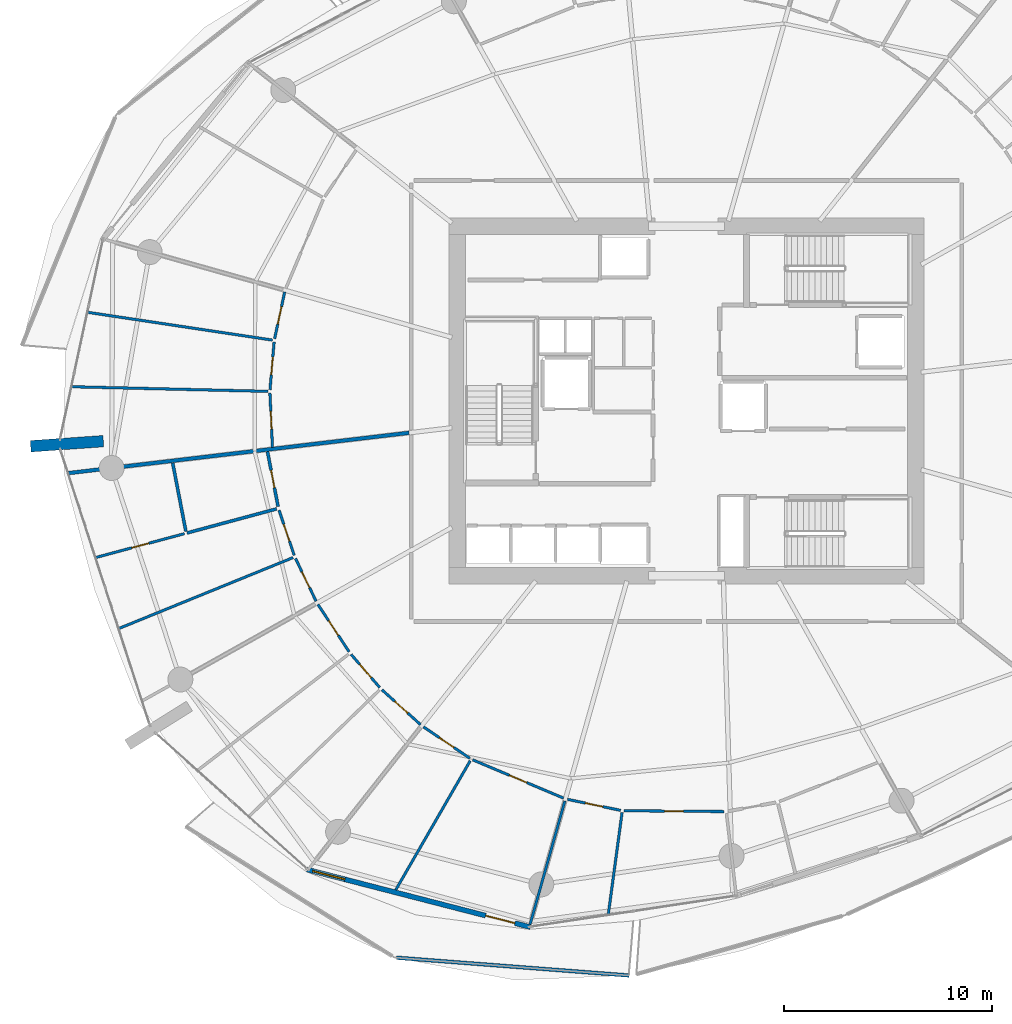
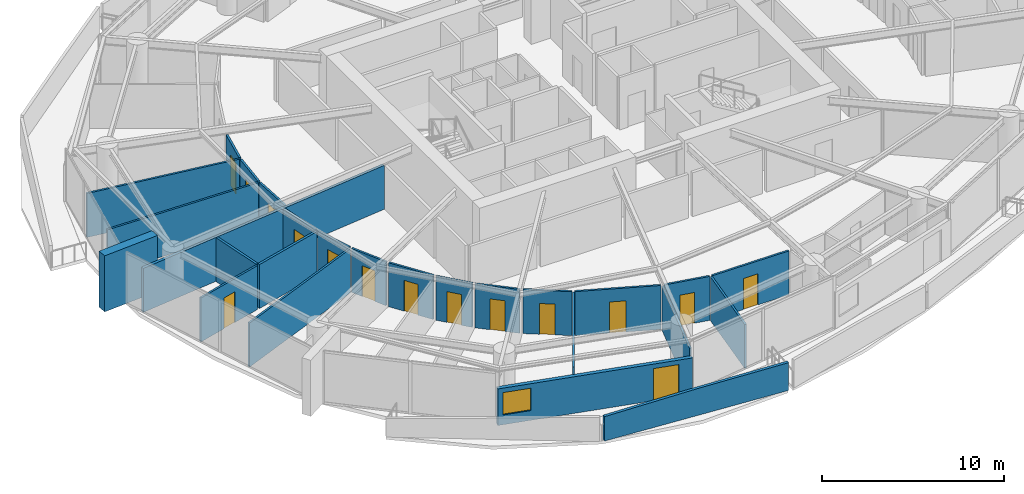
# One storey, part 11 of 23: 26 walls, 15 doors, 1 window, 16 openings.
"""IFC4 building model written with IfcOpenShell, lengths in metres."""

from ifc_helpers import new_model, si_unit, direction, frame, frame_2d, origin, place, context, subcontext, project, spatial, polyline, rectangle, outline, extrude, material, layer, layer_set, type_object, element, fill, save


model = new_model("IFC4")

# Units and contexts
model_context = context("Model", 3, precision=1e-05, world=origin(), true_north=direction((0.0, 1.0)))
body_context = subcontext(model_context, "Body", "Model", "MODEL_VIEW")
ifc_project = project(units=[si_unit("LENGTHUNIT", "METRE"), si_unit("AREAUNIT", "SQUARE_METRE"), si_unit("VOLUMEUNIT", "CUBIC_METRE"), si_unit("PLANEANGLEUNIT", "RADIAN"), si_unit("MASSUNIT", "GRAM", prefix="KILO")], contexts=[model_context])

# Site, building, storey
site_placement = place(None, origin())
site = spatial("IfcSite", under=ifc_project, at=site_placement, CompositionType="ELEMENT")
building_placement = place(site_placement, origin())
building = spatial("IfcBuilding", under=site, at=building_placement, Name="Kazma Halo Residences", CompositionType="ELEMENT")
storey_placement = place(building_placement, frame((0.0, 0.0, 108.89990234375)))
storey = spatial("IfcBuildingStorey", under=building, at=storey_placement, Name="L27", CompositionType="ELEMENT", Elevation=108.89990234375)

# Walls
ifc_material_1 = material(Name="White Concrete C50/60 Balustrade", Category="concrete")
ifc_layer_1 = layer(ifc_material_1, 0.179931640625)
ifc_layer_set_1 = layer_set([ifc_layer_1], Name="White Concrete C50/60 Balustrade")
wall_type_1 = type_object("IfcWallType", Name="WL-BAL-WAVE-180", PredefinedType="PARAPET", material=ifc_layer_set_1)
wall_1_placement = place(storey_placement, frame((34.489990234375, 15.2412109375, 0.0), z_axis=(0.0, 0.0, 1.0), x_axis=(0.997088496001, -0.076253073, 0.0)))
element("IfcWall", 1, at=wall_1_placement, inside=storey, type_object=wall_type_1, Name="L27 white wave balustrade wall SW.2", PredefinedType="PARAPET", context=body_context, shape_type="SweptSolid", body=[
    extrude(outline(polyline([(0.0, 0.0), (11.19970703125, 0.0), (11.199462890625, 1.860107421875), (5.599853515625, 1.798095703125), (0.0, 1.632080078125), (0.0, 0.0)])), frame((0.0, 0.08984375, 0.0), z_axis=(0.0, -1.0, 0.0), x_axis=(1.0, 0.0, 0.0)), (0.0, 0.0, 1.0), 0.179931640625),
])
ifc_material_2 = material(Name="Pale Concrete C60/75", Category="concrete")
ifc_layer_2 = layer(ifc_material_2, 0.550048828125)
ifc_layer_set_2 = layer_set([ifc_layer_2], Name="Pale Concrete C60/75")
wall_type_2 = type_object("IfcWallType", Name="WL-BLADE-550", PredefinedType="SOLIDWALL", material=ifc_layer_set_2)
wall_2_placement = place(storey_placement, frame((20.393798828125, 40.069580078125, 0.0), z_axis=(0.0, 0.0, 1.0), x_axis=(-0.997564163539, -0.069754853754, 0.0)))
element("IfcWall", 2, at=wall_2_placement, inside=storey, type_object=wall_type_2, Name="L27 pale concrete structural blade fin wall BW-02", PredefinedType="SOLIDWALL", context=body_context, shape_type="SweptSolid", body=[
    extrude(rectangle(XDim=3.5, YDim=0.550048828125, at=frame_2d((1.75, 0.0))), origin(), (0.0, 0.0, 1.0), 3.75),
])
ifc_material_3 = material(Name="Acoustic Twin-Stud Gypsum")
ifc_layer_3 = layer(ifc_material_3, 0.179931640625)
ifc_layer_set_3 = layer_set([ifc_layer_3], Name="Acoustic Twin-Stud Gypsum")
wall_type_3 = type_object("IfcWallType", Name="WL-DEM-180", PredefinedType="PARTITIONING", material=ifc_layer_set_3)
wall_3_placement = place(storey_placement, frame((35.0908203125, 40.47216796875, 0.0), z_axis=(0.0, 0.0, 1.0), x_axis=(-0.99306845132, -0.117537445069, 0.0)))
element("IfcWall", 3, at=wall_3_placement, inside=storey, type_object=wall_type_3, Name="L27 apartment demising radial wall 07", PredefinedType="PARTITIONING", context=body_context, shape_type="SweptSolid", body=[
    extrude(rectangle(XDim=16.47998046875, YDim=0.179931640625, at=frame_2d((8.239990234375, 0.0))), origin(), (0.0, 0.0, 1.0), 2.940185546875),
])

# Wall, openings, door, window
ifc_material_4 = material(Name="Insulated Pale-Metal Composite Wall")
ifc_layer_4 = layer(ifc_material_4, 0.239990234375)
ifc_layer_set_4 = layer_set([ifc_layer_4], Name="Insulated Pale-Metal Composite Wall")
wall_type_4 = type_object("IfcWallType", Name="WL-EXT-HOST-240", PredefinedType="SOLIDWALL", material=ifc_layer_set_4)
wall_4_placement = place(storey_placement, frame((30.18603515625, 19.47705078125, 0.0), z_axis=(0.0, 0.0, 1.0), x_axis=(0.968356180858, -0.249572248045, 0.0)))
wall_4 = element("IfcWall", 4, at=wall_4_placement, inside=storey, type_object=wall_type_4, Name="L27 exterior terrace-access wall B10", PredefinedType="SOLIDWALL", context=body_context, shape_type="SweptSolid", body=[
    extrude(rectangle(XDim=11.08447265625, YDim=0.239990234375, at=frame_2d((5.542236328125, 0.0))), origin(), (0.0, 0.0, 1.0), 2.4501953125),
])
opening_1_placement = place(wall_4_placement, frame((8.864501953125, 0.0, 0.0)))
opening_1 = element("IfcOpeningElement", 5, at=opening_1_placement, cuts=wall_4, Name="Opening DTR-1600", PredefinedType="OPENING", context=body_context, shape_type="SweptSolid", body=[
    extrude(rectangle(XDim=1.449951171875, YDim=2.14990234375, at=frame_2d((0.72509765625, 1.074951171875))), frame((0.0, 0.1298828125, 0.0), z_axis=(0.0, -1.0, 0.0), x_axis=(1.0, 0.0, 0.0)), (0.0, 0.0, 1.0), 0.260009765625),
])
opening_2_placement = place(wall_4_placement, frame((0.280029296875, 0.0, 0.64990234375)))
opening_2 = element("IfcOpeningElement", 6, at=opening_2_placement, cuts=wall_4, Name="Opening W-1800", PredefinedType="OPENING", context=body_context, shape_type="SweptSolid", body=[
    extrude(rectangle(XDim=1.60009765625, YDim=1.5, at=frame_2d((0.800048828125, 0.75))), frame((0.0, 0.1298828125, 0.0), z_axis=(0.0, -1.0, 0.0), x_axis=(1.0, 0.0, 0.0)), (0.0, 0.0, 1.0), 0.260009765625),
])
ifc_material_5 = material(Name="Aluminium AW-6063 T6 Double-Glazed Terrace Door", Category="aluminium")
door_type_1 = type_object("IfcDoorType", Name="DR-EXT-TERR-1600", OperationType="NOTDEFINED", PredefinedType="DOOR", material=ifc_material_5)
door_1_placement = place(opening_1_placement, origin())
door_1 = element("IfcDoor", 7, at=door_1_placement, inside=storey, type_object=door_type_1, Name="L27 B10 balcony terrace door", OperationType="DOUBLE_DOOR_SLIDING", OverallHeight=2.14990234375, OverallWidth=1.449951171875, PredefinedType="DOOR", context=body_context, shape_type="SweptSolid", body=[
    extrude(rectangle(XDim=1.449951171875, YDim=2.14990234375, at=frame_2d((0.72509765625, 1.074951171875))), frame((0.0, 0.02490234375, 0.0), z_axis=(0.0, -1.0, 0.0), x_axis=(1.0, 0.0, 0.0)), (0.0, 0.0, 1.0), 0.050048828125),
])
fill(opening_1, door_1)
ifc_material_6 = material(Name="Clear Triple-Silver Low-E Glass in Aluminium AW-6063 T6 Frame", Category="aluminium")
window_type = type_object("IfcWindowType", Name="WIN-RES-1800", PartitioningType="DOUBLE_PANEL_VERTICAL", PredefinedType="WINDOW", material=ifc_material_6)
window_placement = place(opening_2_placement, origin())
window = element("IfcWindow", 8, at=window_placement, inside=storey, type_object=window_type, Name="L27 B10 apartment window", OverallHeight=1.5, OverallWidth=1.60009765625, PartitioningType="SINGLE_PANEL", PredefinedType="WINDOW", context=body_context, shape_type="SweptSolid", body=[
    extrude(rectangle(XDim=1.60009765625, YDim=1.5, at=frame_2d((0.800048828125, 0.75))), frame((0.0, 0.030029296875, 0.0), z_axis=(0.0, -1.0, 0.0), x_axis=(1.0, 0.0, 0.0)), (0.0, 0.0, 1.0), 0.06005859375),
])
fill(opening_2, window)

# Walls
ifc_material_7 = material(Name="Gypsum Plasterboard Partition")
ifc_layer_5 = layer(ifc_material_7, 0.125)
ifc_layer_set_5 = layer_set([ifc_layer_5], Name="Gypsum Plasterboard Partition")
wall_type_5 = type_object("IfcWallType", Name="WL-PART-125", PredefinedType="PARTITIONING", material=ifc_layer_set_5)
wall_5_placement = place(storey_placement, frame((28.52001953125, 44.9287109375, 0.0), z_axis=(0.0, 0.0, 1.0), x_axis=(-0.988886383278, 0.148673201912, 0.0)))
element("IfcWall", 9, at=wall_5_placement, inside=storey, type_object=wall_type_5, Name="L27 Apartment 1 bay wall 1 6", PredefinedType="PARTITIONING", context=body_context, shape_type="SweptSolid", body=[
    extrude(rectangle(XDim=8.96923828125, YDim=0.125, at=frame_2d((4.484619140625, 0.0))), origin(), (0.0, 0.0, 1.0), 2.940185546875),
])
wall_6_placement = place(storey_placement, frame((28.306396484375, 42.464111328125, 0.0), z_axis=(0.0, 0.0, 1.0), x_axis=(-0.999722179252, 0.023570411771, 0.0)))
element("IfcWall", 10, at=wall_6_placement, inside=storey, type_object=wall_type_5, Name="L27 Apartment 1 bay wall 2 6", PredefinedType="PARTITIONING", context=body_context, shape_type="SweptSolid", body=[
    extrude(rectangle(XDim=9.42578125, YDim=0.125, at=frame_2d((4.712890625, 0.0))), origin(), (0.0, 0.0, 1.0), 2.940185546875),
])

# Wall, opening, door
wall_7_placement = place(storey_placement, frame((29.1103515625, 47.244384765625, 0.0), z_axis=(0.0, 0.0, 1.0), x_axis=(-0.210470334655, -0.977600244594, 0.0)))
wall_7 = element("IfcWall", 11, at=wall_7_placement, inside=storey, type_object=wall_type_5, Name="L27 Apartment 1 Corner Bedroom hall wall", PredefinedType="PARTITIONING", context=body_context, shape_type="SweptSolid", body=[
    extrude(rectangle(XDim=2.302490234375, YDim=0.125, at=frame_2d((1.1513671875, 0.0))), origin(), (0.0, 0.0, 1.0), 2.940185546875),
])
opening_3_placement = place(wall_7_placement, frame((0.726318359375, 0.0, 0.0)))
opening_3 = element("IfcOpeningElement", 12, at=opening_3_placement, cuts=wall_7, Name="Opening DB-900", PredefinedType="OPENING", context=body_context, shape_type="SweptSolid", body=[
    extrude(rectangle(XDim=0.85009765625, YDim=2.06005859375, at=frame_2d((0.425048828125, 1.030029296875))), frame((0.0, 0.072509765625, 0.0), z_axis=(0.0, -1.0, 0.0), x_axis=(1.0, 0.0, 0.0)), (0.0, 0.0, 1.0), 0.14501953125),
])
ifc_material_8 = material(Name="Moisture-Sealed Timber Leaf", Category="wood")
door_type_2 = type_object("IfcDoorType", Name="DR-BTH-900", OperationType="NOTDEFINED", PredefinedType="DOOR", material=ifc_material_8)
door_2_placement = place(opening_3_placement, origin())
door_2 = element("IfcDoor", 13, at=door_2_placement, inside=storey, type_object=door_type_2, Name="L27 Apartment 1 Corner Bedroom door", OperationType="SINGLE_SWING_LEFT", OverallHeight=2.06005859375, OverallWidth=0.85009765625, PredefinedType="DOOR", context=body_context, shape_type="SweptSolid", body=[
    extrude(rectangle(XDim=0.85009765625, YDim=2.06005859375, at=frame_2d((0.425048828125, 1.030029296875))), frame((0.0, 0.02490234375, 0.0), z_axis=(0.0, -1.0, 0.0), x_axis=(1.0, 0.0, 0.0)), (0.0, 0.0, 1.0), 0.050048828125),
])
fill(opening_3, door_2)

wall_8_placement = place(storey_placement, frame((28.60205078125, 44.835693359375, 0.0), z_axis=(0.0, 0.0, 1.0), x_axis=(-0.086309330274, -0.996268387287, 0.0)))
wall_8 = element("IfcWall", 14, at=wall_8_placement, inside=storey, type_object=wall_type_5, Name="L27 Apartment 1 Garden Study hall wall", PredefinedType="PARTITIONING", context=body_context, shape_type="SweptSolid", body=[
    extrude(rectangle(XDim=2.302490234375, YDim=0.125, at=frame_2d((1.1513671875, 0.0))), origin(), (0.0, 0.0, 1.0), 2.940185546875),
])
opening_4_placement = place(wall_8_placement, frame((0.726318359375, 0.0, 0.0)))
opening_4 = element("IfcOpeningElement", 15, at=opening_4_placement, cuts=wall_8, Name="Opening DB-900", PredefinedType="OPENING", context=body_context, shape_type="SweptSolid", body=[
    extrude(rectangle(XDim=0.85009765625, YDim=2.06005859375, at=frame_2d((0.425048828125, 1.030029296875))), frame((0.0, 0.072509765625, 0.0), z_axis=(0.0, -1.0, 0.0), x_axis=(1.0, 0.0, 0.0)), (0.0, 0.0, 1.0), 0.14501953125),
])
door_3_placement = place(opening_4_placement, origin())
door_3 = element("IfcDoor", 16, at=door_3_placement, inside=storey, type_object=door_type_2, Name="L27 Apartment 1 Garden Study door", OperationType="SINGLE_SWING_RIGHT", OverallHeight=2.06005859375, OverallWidth=0.85009765625, PredefinedType="DOOR", context=body_context, shape_type="SweptSolid", body=[
    extrude(rectangle(XDim=0.85009765625, YDim=2.06005859375, at=frame_2d((0.425048828125, 1.030029296875))), frame((0.0, 0.02490234375, 0.0), z_axis=(0.0, -1.0, 0.0), x_axis=(1.0, 0.0, 0.0)), (0.0, 0.0, 1.0), 0.050048828125),
])
fill(opening_4, door_3)

wall_9_placement = place(storey_placement, frame((28.400146484375, 42.382080078125, 0.0), z_axis=(0.0, 0.0, 1.0), x_axis=(0.047147361322, -0.998887944827, 0.0)))
wall_9 = element("IfcWall", 17, at=wall_9_placement, inside=storey, type_object=wall_type_5, Name="L27 Apartment 1 Sky Bedroom hall wall", PredefinedType="PARTITIONING", context=body_context, shape_type="SweptSolid", body=[
    extrude(rectangle(XDim=2.60986328125, YDim=0.125, at=frame_2d((1.304931640625, 0.0))), origin(), (0.0, 0.0, 1.0), 2.940185546875),
])
opening_5_placement = place(wall_9_placement, frame((0.8798828125, 0.0, 0.0)))
opening_5 = element("IfcOpeningElement", 18, at=opening_5_placement, cuts=wall_9, Name="Opening DB-900", PredefinedType="OPENING", context=body_context, shape_type="SweptSolid", body=[
    extrude(rectangle(XDim=0.85009765625, YDim=2.06005859375, at=frame_2d((0.425048828125, 1.030029296875))), frame((0.0, 0.072509765625, 0.0), z_axis=(0.0, -1.0, 0.0), x_axis=(1.0, 0.0, 0.0)), (0.0, 0.0, 1.0), 0.14501953125),
])
door_4_placement = place(opening_5_placement, origin())
door_4 = element("IfcDoor", 19, at=door_4_placement, inside=storey, type_object=door_type_2, Name="L27 Apartment 1 Sky Bedroom door", OperationType="SINGLE_SWING_LEFT", OverallHeight=2.06005859375, OverallWidth=0.85009765625, PredefinedType="DOOR", context=body_context, shape_type="SweptSolid", body=[
    extrude(rectangle(XDim=0.85009765625, YDim=2.06005859375, at=frame_2d((0.425048828125, 1.030029296875))), frame((0.0, 0.02490234375, 0.0), z_axis=(0.0, -1.0, 0.0), x_axis=(1.0, 0.0, 0.0)), (0.0, 0.0, 1.0), 0.050048828125),
])
fill(opening_5, door_4)

wall_10_placement = place(storey_placement, frame((24.290283203125, 35.623779296875, 0.0), z_axis=(0.0, 0.0, 1.0), x_axis=(-0.965686463705, -0.259710711787, 0.0)))
wall_10 = element("IfcWall", 20, at=wall_10_placement, inside=storey, type_object=wall_type_5, Name="L27 Apartment 2 Household Store Room partition wall", PredefinedType="PARTITIONING", context=body_context, shape_type="SweptSolid", body=[
    extrude(rectangle(XDim=4.3984375, YDim=0.125, at=frame_2d((2.19921875, 0.0))), origin(), (0.0, 0.0, 1.0), 2.940185546875),
])
opening_6_placement = place(wall_10_placement, frame((1.7744140625, 0.0, 0.0)))
opening_6 = element("IfcOpeningElement", 21, at=opening_6_placement, cuts=wall_10, Name="Opening DB-900", PredefinedType="OPENING", context=body_context, shape_type="SweptSolid", body=[
    extrude(rectangle(XDim=0.85009765625, YDim=2.06005859375, at=frame_2d((0.425048828125, 1.030029296875))), frame((0.0, 0.072509765625, 0.0), z_axis=(0.0, -1.0, 0.0), x_axis=(1.0, 0.0, 0.0)), (0.0, 0.0, 1.0), 0.14501953125),
])
door_5_placement = place(opening_6_placement, origin())
door_5 = element("IfcDoor", 22, at=door_5_placement, inside=storey, type_object=door_type_2, Name="L27 Apartment 2 Household Store Room door", OperationType="SINGLE_SWING_RIGHT", OverallHeight=2.06005859375, OverallWidth=0.85009765625, PredefinedType="DOOR", context=body_context, shape_type="SweptSolid", body=[
    extrude(rectangle(XDim=0.85009765625, YDim=2.06005859375, at=frame_2d((0.425048828125, 1.030029296875))), frame((0.0, 0.02490234375, 0.0), z_axis=(0.0, -1.0, 0.0), x_axis=(1.0, 0.0, 0.0)), (0.0, 0.0, 1.0), 0.050048828125),
])
fill(opening_6, door_5)

# Wall
wall_11_placement = place(storey_placement, frame((29.51123046875, 34.473388671875, 0.0), z_axis=(0.0, 0.0, 1.0), x_axis=(-0.926185438401, -0.37706834088, 0.0)))
element("IfcWall", 23, at=wall_11_placement, inside=storey, type_object=wall_type_5, Name="L27 Apartment 2 suite divider 7", PredefinedType="PARTITIONING", context=body_context, shape_type="SweptSolid", body=[
    extrude(rectangle(XDim=9.0263671875, YDim=0.125, at=frame_2d((4.51318359375, 0.0))), origin(), (0.0, 0.0, 1.0), 2.940185546875),
])

# Wall, opening, door
wall_12_placement = place(storey_placement, frame((28.83837890625, 36.75390625, 0.0), z_axis=(0.0, 0.0, 1.0), x_axis=(0.31900826941, -0.947751931704, 0.0)))
wall_12 = element("IfcWall", 24, at=wall_12_placement, inside=storey, type_object=wall_type_5, Name="L27 Apartment 2 Gourmet Kitchen hall wall", PredefinedType="PARTITIONING", context=body_context, shape_type="SweptSolid", body=[
    extrude(rectangle(XDim=2.29052734375, YDim=0.125, at=frame_2d((1.145263671875, 0.0))), origin(), (0.0, 0.0, 1.0), 2.940185546875),
])
opening_7_placement = place(wall_12_placement, frame((0.72021484375, 0.0, 0.0)))
opening_7 = element("IfcOpeningElement", 25, at=opening_7_placement, cuts=wall_12, Name="Opening DB-900", PredefinedType="OPENING", context=body_context, shape_type="SweptSolid", body=[
    extrude(rectangle(XDim=0.85009765625, YDim=2.06005859375, at=frame_2d((0.425048828125, 1.030029296875))), frame((0.0, 0.072509765625, 0.0), z_axis=(0.0, -1.0, 0.0), x_axis=(1.0, 0.0, 0.0)), (0.0, 0.0, 1.0), 0.14501953125),
])
door_6_placement = place(opening_7_placement, origin())
door_6 = element("IfcDoor", 26, at=door_6_placement, inside=storey, type_object=door_type_2, Name="L27 Apartment 2 Gourmet Kitchen door", OperationType="SINGLE_SWING_LEFT", OverallHeight=2.06005859375, OverallWidth=0.85009765625, PredefinedType="DOOR", context=body_context, shape_type="SweptSolid", body=[
    extrude(rectangle(XDim=0.85009765625, YDim=2.06005859375, at=frame_2d((0.425048828125, 1.030029296875))), frame((0.0, 0.02490234375, 0.0), z_axis=(0.0, -1.0, 0.0), x_axis=(1.0, 0.0, 0.0)), (0.0, 0.0, 1.0), 0.050048828125),
])
fill(opening_7, door_6)

wall_13_placement = place(storey_placement, frame((29.62939453125, 34.43505859375, 0.0), z_axis=(0.0, 0.0, 1.0), x_axis=(0.433673987986, -0.901069848649, 0.0)))
wall_13 = element("IfcWall", 27, at=wall_13_placement, inside=storey, type_object=wall_type_5, Name="L27 Apartment 2 Primary Bedroom hall wall", PredefinedType="PARTITIONING", context=body_context, shape_type="SweptSolid", body=[
    extrude(rectangle(XDim=2.280517578125, YDim=0.125, at=frame_2d((1.14013671875, 0.0))), origin(), (0.0, 0.0, 1.0), 2.940185546875),
])
opening_8_placement = place(wall_13_placement, frame((0.71533203125, 0.0, 0.0)))
opening_8 = element("IfcOpeningElement", 28, at=opening_8_placement, cuts=wall_13, Name="Opening DB-900", PredefinedType="OPENING", context=body_context, shape_type="SweptSolid", body=[
    extrude(rectangle(XDim=0.85009765625, YDim=2.06005859375, at=frame_2d((0.425048828125, 1.030029296875))), frame((0.0, 0.072509765625, 0.0), z_axis=(0.0, -1.0, 0.0), x_axis=(1.0, 0.0, 0.0)), (0.0, 0.0, 1.0), 0.14501953125),
])
door_7_placement = place(opening_8_placement, origin())
door_7 = element("IfcDoor", 29, at=door_7_placement, inside=storey, type_object=door_type_2, Name="L27 Apartment 2 Primary Bedroom door", OperationType="SINGLE_SWING_RIGHT", OverallHeight=2.06005859375, OverallWidth=0.85009765625, PredefinedType="DOOR", context=body_context, shape_type="SweptSolid", body=[
    extrude(rectangle(XDim=0.85009765625, YDim=2.06005859375, at=frame_2d((0.425048828125, 1.030029296875))), frame((0.0, 0.02490234375, 0.0), z_axis=(0.0, -1.0, 0.0), x_axis=(1.0, 0.0, 0.0)), (0.0, 0.0, 1.0), 0.050048828125),
])
fill(opening_8, door_7)

wall_14_placement = place(storey_placement, frame((30.705810546875, 32.223388671875, 0.0), z_axis=(0.0, 0.0, 1.0), x_axis=(0.550682420902, -0.834714844309, 0.0)))
wall_14 = element("IfcWall", 30, at=wall_14_placement, inside=storey, type_object=wall_type_5, Name="L27 Apartment 2 Primary Bedroom hall wall", PredefinedType="PARTITIONING", context=body_context, shape_type="SweptSolid", body=[
    extrude(rectangle(XDim=2.724853515625, YDim=0.125, at=frame_2d((1.3623046875, 0.0))), origin(), (0.0, 0.0, 1.0), 2.940185546875),
])
opening_9_placement = place(wall_14_placement, frame((0.937255859375, 0.0, 0.0)))
opening_9 = element("IfcOpeningElement", 31, at=opening_9_placement, cuts=wall_14, Name="Opening DB-900", PredefinedType="OPENING", context=body_context, shape_type="SweptSolid", body=[
    extrude(rectangle(XDim=0.85009765625, YDim=2.06005859375, at=frame_2d((0.425048828125, 1.030029296875))), frame((0.0, 0.072509765625, 0.0), z_axis=(0.0, -1.0, 0.0), x_axis=(1.0, 0.0, 0.0)), (0.0, 0.0, 1.0), 0.14501953125),
])
door_8_placement = place(opening_9_placement, origin())
door_8 = element("IfcDoor", 32, at=door_8_placement, inside=storey, type_object=door_type_2, Name="L27 Apartment 2 Primary Bedroom door", OperationType="SINGLE_SWING_LEFT", OverallHeight=2.06005859375, OverallWidth=0.85009765625, PredefinedType="DOOR", context=body_context, shape_type="SweptSolid", body=[
    extrude(rectangle(XDim=0.85009765625, YDim=2.06005859375, at=frame_2d((0.425048828125, 1.030029296875))), frame((0.0, 0.02490234375, 0.0), z_axis=(0.0, -1.0, 0.0), x_axis=(1.0, 0.0, 0.0)), (0.0, 0.0, 1.0), 0.050048828125),
])
fill(opening_9, door_8)

wall_15_placement = place(storey_placement, frame((32.302490234375, 29.821533203125, 0.0), z_axis=(0.0, 0.0, 1.0), x_axis=(0.653904073591, -0.756577466318, 0.0)))
wall_15 = element("IfcWall", 33, at=wall_15_placement, inside=storey, type_object=wall_type_5, Name="L27 Apartment 2 Secondary Study hall wall", PredefinedType="PARTITIONING", context=body_context, shape_type="SweptSolid", body=[
    extrude(rectangle(XDim=2.10205078125, YDim=0.125, at=frame_2d((1.051025390625, 0.0))), origin(), (0.0, 0.0, 1.0), 2.940185546875),
])
opening_10_placement = place(wall_15_placement, frame((0.6259765625, 0.0, 0.0)))
opening_10 = element("IfcOpeningElement", 34, at=opening_10_placement, cuts=wall_15, Name="Opening DB-900", PredefinedType="OPENING", context=body_context, shape_type="SweptSolid", body=[
    extrude(rectangle(XDim=0.85009765625, YDim=2.06005859375, at=frame_2d((0.425048828125, 1.030029296875))), frame((0.0, 0.072509765625, 0.0), z_axis=(0.0, -1.0, 0.0), x_axis=(1.0, 0.0, 0.0)), (0.0, 0.0, 1.0), 0.14501953125),
])
door_9_placement = place(opening_10_placement, origin())
door_9 = element("IfcDoor", 35, at=door_9_placement, inside=storey, type_object=door_type_2, Name="L27 Apartment 2 Secondary Study door", OperationType="SINGLE_SWING_RIGHT", OverallHeight=2.06005859375, OverallWidth=0.85009765625, PredefinedType="DOOR", context=body_context, shape_type="SweptSolid", body=[
    extrude(rectangle(XDim=0.85009765625, YDim=2.06005859375, at=frame_2d((0.425048828125, 1.030029296875))), frame((0.0, 0.02490234375, 0.0), z_axis=(0.0, -1.0, 0.0), x_axis=(1.0, 0.0, 0.0)), (0.0, 0.0, 1.0), 0.050048828125),
])
fill(opening_10, door_9)

wall_16_placement = place(storey_placement, frame((33.788818359375, 28.1171875, 0.0), z_axis=(0.0, 0.0, 1.0), x_axis=(0.742250438722, -0.670122590439, 0.0)))
wall_16 = element("IfcWall", 36, at=wall_16_placement, inside=storey, type_object=wall_type_5, Name="L27 Apartment 2 East Bedroom hall wall", PredefinedType="PARTITIONING", context=body_context, shape_type="SweptSolid", body=[
    extrude(rectangle(XDim=2.4912109375, YDim=0.125, at=frame_2d((1.24560546875, 0.0))), origin(), (0.0, 0.0, 1.0), 2.940185546875),
])
opening_11_placement = place(wall_16_placement, frame((0.820556640625, 0.0, 0.0)))
opening_11 = element("IfcOpeningElement", 37, at=opening_11_placement, cuts=wall_16, Name="Opening DB-900", PredefinedType="OPENING", context=body_context, shape_type="SweptSolid", body=[
    extrude(rectangle(XDim=0.85009765625, YDim=2.06005859375, at=frame_2d((0.425048828125, 1.030029296875))), frame((0.0, 0.072509765625, 0.0), z_axis=(0.0, -1.0, 0.0), x_axis=(1.0, 0.0, 0.0)), (0.0, 0.0, 1.0), 0.14501953125),
])
door_10_placement = place(opening_11_placement, origin())
door_10 = element("IfcDoor", 38, at=door_10_placement, inside=storey, type_object=door_type_2, Name="L27 Apartment 2 East Bedroom door", OperationType="SINGLE_SWING_LEFT", OverallHeight=2.06005859375, OverallWidth=0.85009765625, PredefinedType="DOOR", context=body_context, shape_type="SweptSolid", body=[
    extrude(rectangle(XDim=0.85009765625, YDim=2.06005859375, at=frame_2d((0.425048828125, 1.030029296875))), frame((0.0, 0.02490234375, 0.0), z_axis=(0.0, -1.0, 0.0), x_axis=(1.0, 0.0, 0.0)), (0.0, 0.0, 1.0), 0.050048828125),
])
fill(opening_11, door_10)

# Wall
wall_17_placement = place(storey_placement, frame((38.028076171875, 24.70703125, 0.0), z_axis=(0.0, 0.0, 1.0), x_axis=(-0.499570967342, -0.866272964249, 0.0)))
element("IfcWall", 39, at=wall_17_placement, inside=storey, type_object=wall_type_5, Name="L27 Apartment 2 mid-bay wall 9", PredefinedType="PARTITIONING", context=body_context, shape_type="SweptSolid", body=[
    extrude(rectangle(XDim=7.162353515625, YDim=0.125, at=frame_2d((3.5810546875, 0.0))), origin(), (0.0, 0.0, 1.0), 2.940185546875),
])

# Wall, opening, door
wall_18_placement = place(storey_placement, frame((35.7802734375, 26.338134765625, 0.0), z_axis=(0.0, 0.0, 1.0), x_axis=(0.827963562543, -0.560781899762, 0.0)))
wall_18 = element("IfcWall", 40, at=wall_18_placement, inside=storey, type_object=wall_type_5, Name="L27 Apartment 2 West Laundry Room hall wall", PredefinedType="PARTITIONING", context=body_context, shape_type="SweptSolid", body=[
    extrude(rectangle(XDim=2.689208984375, YDim=0.125, at=frame_2d((1.3447265625, 0.0))), origin(), (0.0, 0.0, 1.0), 2.940185546875),
])
opening_12_placement = place(wall_18_placement, frame((0.919677734375, 0.0, 0.0)))
opening_12 = element("IfcOpeningElement", 41, at=opening_12_placement, cuts=wall_18, Name="Opening DB-900", PredefinedType="OPENING", context=body_context, shape_type="SweptSolid", body=[
    extrude(rectangle(XDim=0.85009765625, YDim=2.06005859375, at=frame_2d((0.425048828125, 1.030029296875))), frame((0.0, 0.072509765625, 0.0), z_axis=(0.0, -1.0, 0.0), x_axis=(1.0, 0.0, 0.0)), (0.0, 0.0, 1.0), 0.14501953125),
])
door_11_placement = place(opening_12_placement, origin())
door_11 = element("IfcDoor", 42, at=door_11_placement, inside=storey, type_object=door_type_2, Name="L27 Apartment 2 West Laundry Room door", OperationType="SINGLE_SWING_LEFT", OverallHeight=2.06005859375, OverallWidth=0.85009765625, PredefinedType="DOOR", context=body_context, shape_type="SweptSolid", body=[
    extrude(rectangle(XDim=0.85009765625, YDim=2.06005859375, at=frame_2d((0.425048828125, 1.030029296875))), frame((0.0, 0.02490234375, 0.0), z_axis=(0.0, -1.0, 0.0), x_axis=(1.0, 0.0, 0.0)), (0.0, 0.0, 1.0), 0.050048828125),
])
fill(opening_12, door_11)

wall_19_placement = place(storey_placement, frame((38.146728515625, 24.75390625, 0.0), z_axis=(0.0, 0.0, 1.0), x_axis=(0.921465596947, -0.388459976888, 0.0)))
wall_19 = element("IfcWall", 43, at=wall_19_placement, inside=storey, type_object=wall_type_5, Name="L27 Apartment 2 North Master Bedroom hall wall", PredefinedType="PARTITIONING", context=body_context, shape_type="SweptSolid", body=[
    extrude(rectangle(XDim=4.739501953125, YDim=0.125, at=frame_2d((2.36962890625, 0.0))), origin(), (0.0, 0.0, 1.0), 2.940185546875),
])
opening_13_placement = place(wall_19_placement, frame((1.919677734375, 0.0, 0.0)))
opening_13 = element("IfcOpeningElement", 44, at=opening_13_placement, cuts=wall_19, Name="Opening DI-950", PredefinedType="OPENING", context=body_context, shape_type="SweptSolid", body=[
    extrude(rectangle(XDim=0.89990234375, YDim=2.080078125, at=frame_2d((0.449951171875, 1.0400390625))), frame((0.0, 0.072509765625, 0.0), z_axis=(0.0, -1.0, 0.0), x_axis=(1.0, 0.0, 0.0)), (0.0, 0.0, 1.0), 0.14501953125),
])
ifc_material_9 = material(Name="Timber Veneer Flush Leaf", Category="wood")
door_type_3 = type_object("IfcDoorType", Name="DR-INT-950", OperationType="NOTDEFINED", PredefinedType="DOOR", material=ifc_material_9)
door_12_placement = place(opening_13_placement, origin())
door_12 = element("IfcDoor", 45, at=door_12_placement, inside=storey, type_object=door_type_3, Name="L27 Apartment 2 North Master Bedroom door", OperationType="SINGLE_SWING_RIGHT", OverallHeight=2.080078125, OverallWidth=0.89990234375, PredefinedType="DOOR", context=body_context, shape_type="SweptSolid", body=[
    extrude(rectangle(XDim=0.89990234375, YDim=2.080078125, at=frame_2d((0.449951171875, 1.0400390625))), frame((0.0, 0.02490234375, 0.0), z_axis=(0.0, -1.0, 0.0), x_axis=(1.0, 0.0, 0.0)), (0.0, 0.0, 1.0), 0.050048828125),
])
fill(opening_13, door_12)

# Walls
wall_20_placement = place(storey_placement, frame((42.578857421875, 22.77783203125, 0.0), z_axis=(0.0, 0.0, 1.0), x_axis=(-0.271466748189, -0.962447819171, 0.0)))
element("IfcWall", 46, at=wall_20_placement, inside=storey, type_object=wall_type_5, Name="L27 Apartment 2 radial partition 10", PredefinedType="PARTITIONING", context=body_context, shape_type="SweptSolid", body=[
    extrude(rectangle(XDim=6.165771484375, YDim=0.125, at=frame_2d((3.0830078125, 0.0))), origin(), (0.0, 0.0, 1.0), 2.940185546875),
])
wall_21_placement = place(storey_placement, frame((45.326904296875, 22.2177734375, 0.0), z_axis=(0.0, 0.0, 1.0), x_axis=(-0.133861540622, -0.99100004437, 0.0)))
element("IfcWall", 47, at=wall_21_placement, inside=storey, type_object=wall_type_5, Name="L27 Apartment 2 mid-bay wall 10", PredefinedType="PARTITIONING", context=body_context, shape_type="SweptSolid", body=[
    extrude(rectangle(XDim=4.9443359375, YDim=0.125, at=frame_2d((2.47216796875, 0.0))), origin(), (0.0, 0.0, 1.0), 2.940185546875),
])

# Wall, opening, door
wall_22_placement = place(storey_placement, frame((42.703857421875, 22.853759765625, 0.0), z_axis=(0.0, 0.0, 1.0), x_axis=(0.979145769619, -0.203158957069, 0.0)))
wall_22 = element("IfcWall", 48, at=wall_22_placement, inside=storey, type_object=wall_type_5, Name="L27 Apartment 2 South Bedroom hall wall", PredefinedType="PARTITIONING", context=body_context, shape_type="SweptSolid", body=[
    extrude(rectangle(XDim=2.611328125, YDim=0.125, at=frame_2d((1.3056640625, 0.0))), origin(), (0.0, 0.0, 1.0), 2.940185546875),
])
opening_14_placement = place(wall_22_placement, frame((0.880615234375, 0.0, 0.0)))
opening_14 = element("IfcOpeningElement", 49, at=opening_14_placement, cuts=wall_22, Name="Opening DB-900", PredefinedType="OPENING", context=body_context, shape_type="SweptSolid", body=[
    extrude(rectangle(XDim=0.85009765625, YDim=2.06005859375, at=frame_2d((0.425048828125, 1.030029296875))), frame((0.0, 0.072509765625, 0.0), z_axis=(0.0, -1.0, 0.0), x_axis=(1.0, 0.0, 0.0)), (0.0, 0.0, 1.0), 0.14501953125),
])
door_13_placement = place(opening_14_placement, origin())
door_13 = element("IfcDoor", 50, at=door_13_placement, inside=storey, type_object=door_type_2, Name="L27 Apartment 2 South Bedroom door", OperationType="SINGLE_SWING_RIGHT", OverallHeight=2.06005859375, OverallWidth=0.85009765625, PredefinedType="DOOR", context=body_context, shape_type="SweptSolid", body=[
    extrude(rectangle(XDim=0.85009765625, YDim=2.06005859375, at=frame_2d((0.425048828125, 1.030029296875))), frame((0.0, 0.02490234375, 0.0), z_axis=(0.0, -1.0, 0.0), x_axis=(1.0, 0.0, 0.0)), (0.0, 0.0, 1.0), 0.050048828125),
])
fill(opening_14, door_13)

wall_23_placement = place(storey_placement, frame((45.419189453125, 22.30615234375, 0.0), z_axis=(0.0, 0.0, 1.0), x_axis=(0.99996628587, -0.008211401983, 0.0)))
wall_23 = element("IfcWall", 51, at=wall_23_placement, inside=storey, type_object=wall_type_5, Name="L27 Apartment 2 Inner Bedroom hall wall", PredefinedType="PARTITIONING", context=body_context, shape_type="SweptSolid", body=[
    extrude(rectangle(XDim=4.816650390625, YDim=0.125, at=frame_2d((2.408203125, 0.0))), origin(), (0.0, 0.0, 1.0), 2.940185546875),
])
opening_15_placement = place(wall_23_placement, frame((1.95849609375, 0.0, 0.0)))
opening_15 = element("IfcOpeningElement", 52, at=opening_15_placement, cuts=wall_23, Name="Opening DI-950", PredefinedType="OPENING", context=body_context, shape_type="SweptSolid", body=[
    extrude(rectangle(XDim=0.89990234375, YDim=2.080078125, at=frame_2d((0.449951171875, 1.0400390625))), frame((0.0, 0.072509765625, 0.0), z_axis=(0.0, -1.0, 0.0), x_axis=(1.0, 0.0, 0.0)), (0.0, 0.0, 1.0), 0.14501953125),
])
door_14_placement = place(opening_15_placement, origin())
door_14 = element("IfcDoor", 53, at=door_14_placement, inside=storey, type_object=door_type_3, Name="L27 Apartment 2 Inner Bedroom door", OperationType="SINGLE_SWING_LEFT", OverallHeight=2.080078125, OverallWidth=0.89990234375, PredefinedType="DOOR", context=body_context, shape_type="SweptSolid", body=[
    extrude(rectangle(XDim=0.89990234375, YDim=2.080078125, at=frame_2d((0.449951171875, 1.0400390625))), frame((0.0, 0.02490234375, 0.0), z_axis=(0.0, -1.0, 0.0), x_axis=(1.0, 0.0, 0.0)), (0.0, 0.0, 1.0), 0.050048828125),
])
fill(opening_15, door_14)

ifc_material_10 = material(Name="Moisture-Resistant Gypsum")
ifc_layer_6 = layer(ifc_material_10, 0.14990234375)
ifc_layer_set_6 = layer_set([ifc_layer_6], Name="Moisture-Resistant Gypsum")
wall_type_6 = type_object("IfcWallType", Name="WL-WET-150", PredefinedType="PARTITIONING", material=ifc_layer_set_6)
wall_24_placement = place(storey_placement, frame((28.28466796875, 39.566162109375, 0.0), z_axis=(0.0, 0.0, 1.0), x_axis=(0.189069796262, -0.98196365113, 0.0)))
wall_24 = element("IfcWall", 54, at=wall_24_placement, inside=storey, type_object=wall_type_6, Name="L27 Apartment 2 Guest Bathroom hall wall", PredefinedType="PARTITIONING", context=body_context, shape_type="SweptSolid", body=[
    extrude(rectangle(XDim=2.687255859375, YDim=0.14990234375, at=frame_2d((1.34375, 0.0))), origin(), (0.0, 0.0, 1.0), 2.940185546875),
])
opening_16_placement = place(wall_24_placement, frame((0.91845703125, 0.0, 0.0)))
opening_16 = element("IfcOpeningElement", 55, at=opening_16_placement, cuts=wall_24, Name="Opening DB-900", PredefinedType="OPENING", context=body_context, shape_type="SweptSolid", body=[
    extrude(rectangle(XDim=0.85009765625, YDim=2.06005859375, at=frame_2d((0.425048828125, 1.030029296875))), frame((0.0, 0.0849609375, 0.0), z_axis=(0.0, -1.0, 0.0), x_axis=(1.0, 0.0, 0.0)), (0.0, 0.0, 1.0), 0.169921875),
])
door_15_placement = place(opening_16_placement, origin())
door_15 = element("IfcDoor", 56, at=door_15_placement, inside=storey, type_object=door_type_2, Name="L27 Apartment 2 Guest Bathroom door", OperationType="SINGLE_SWING_LEFT", OverallHeight=2.06005859375, OverallWidth=0.85009765625, PredefinedType="DOOR", context=body_context, shape_type="SweptSolid", body=[
    extrude(rectangle(XDim=0.85009765625, YDim=2.06005859375, at=frame_2d((0.425048828125, 1.030029296875))), frame((0.0, 0.02490234375, 0.0), z_axis=(0.0, -1.0, 0.0), x_axis=(1.0, 0.0, 0.0)), (0.0, 0.0, 1.0), 0.050048828125),
])
fill(opening_16, door_15)

# Walls
wall_25_placement = place(storey_placement, frame((23.7265625, 39.026611328125, 0.0), z_axis=(0.0, 0.0, 1.0), x_axis=(0.189106762553, -0.981956532825, 0.0)))
element("IfcWall", 57, at=wall_25_placement, inside=storey, type_object=wall_type_6, Name="L27 Apartment 2 Guest Bathroom back wall", PredefinedType="PARTITIONING", context=body_context, shape_type="SweptSolid", body=[
    extrude(rectangle(XDim=3.3515625, YDim=0.14990234375, at=frame_2d((1.67578125, 0.0))), origin(), (0.0, 0.0, 1.0), 2.940185546875),
])
wall_26_placement = place(storey_placement, frame((28.722900390625, 36.81591796875, 0.0), z_axis=(0.0, 0.0, 1.0), x_axis=(-0.965677569119, -0.259743782409, 0.0)))
element("IfcWall", 58, at=wall_26_placement, inside=storey, type_object=wall_type_6, Name="L27 Apartment 2 Guest Bathroom side wall", PredefinedType="PARTITIONING", context=body_context, shape_type="SweptSolid", body=[
    extrude(rectangle(XDim=4.4599609375, YDim=0.14990234375, at=frame_2d((2.22998046875, 0.0))), origin(), (0.0, 0.0, 1.0), 2.940185546875),
])

save(model, "model.ifc")
